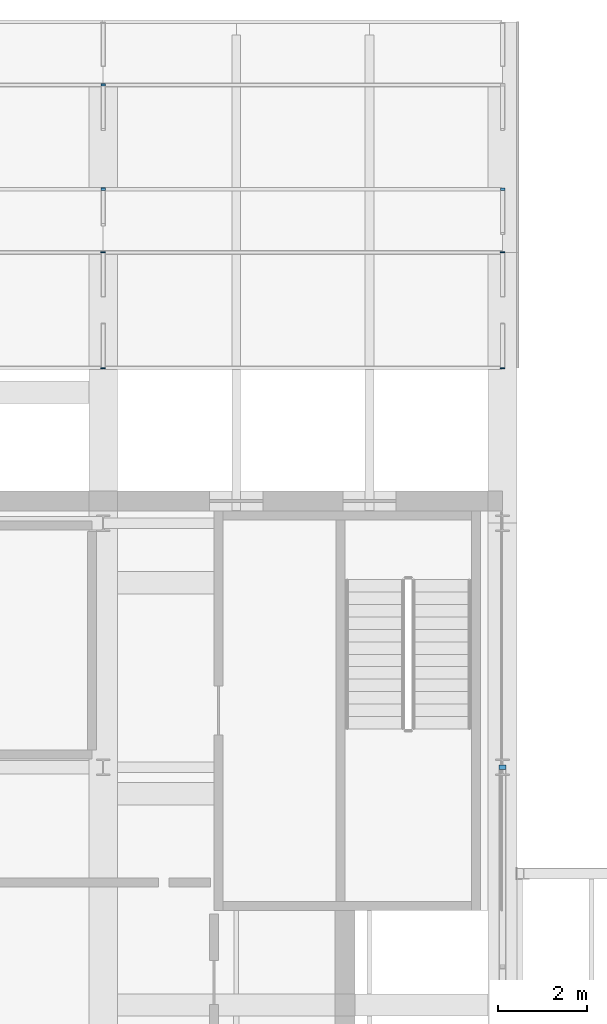
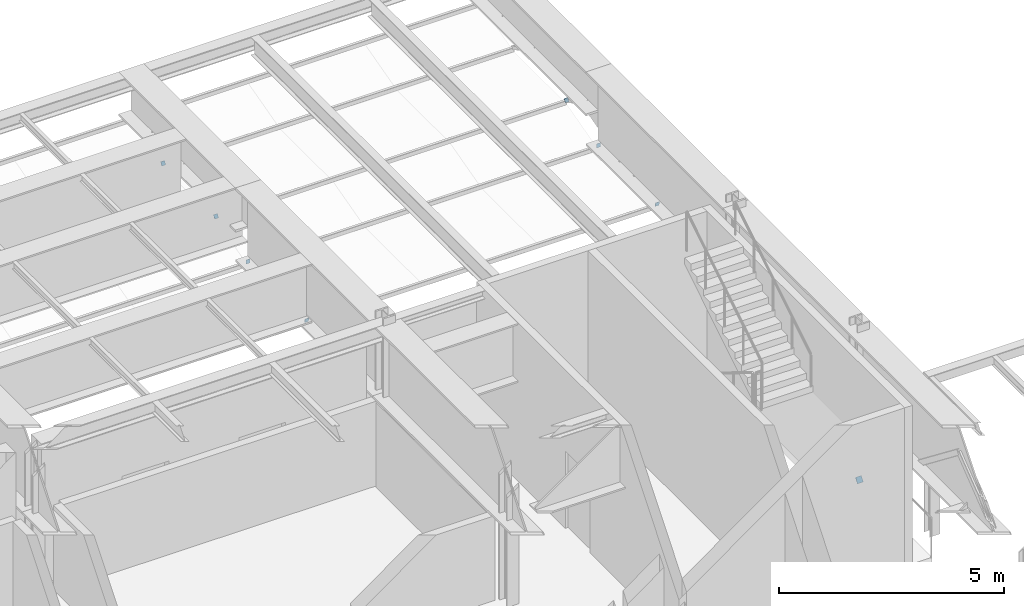
# One storey, part 126 of 153: 8 discrete accessories.
"""IFC4 building model written with IfcOpenShell, lengths in metres."""

from ifc_helpers import new_model, si_unit, direction, frame, origin, origin_2d, place, context, subcontext, project, spatial, rectangle, extrude, material, material_profile, profile_set, type_object, element, save


model = new_model("IFC4")

# Units and contexts
model_context = context("Model", 3, precision=1e-05, world=origin(), true_north=direction((0.0, 1.0)))
body_context = subcontext(model_context, "Body", "Model", "MODEL_VIEW")
ifc_project = project(units=[si_unit("LENGTHUNIT", "METRE"), si_unit("AREAUNIT", "SQUARE_METRE"), si_unit("VOLUMEUNIT", "CUBIC_METRE"), si_unit("PLANEANGLEUNIT", "RADIAN"), si_unit("MASSUNIT", "GRAM", prefix="KILO")], contexts=[model_context])

# Site, building, storey
site_placement = place(None, origin())
site = spatial("IfcSite", under=ifc_project, at=site_placement, CompositionType="ELEMENT")
building_placement = place(site_placement, origin())
building = spatial("IfcBuilding", under=site, at=building_placement, Name="Kallimachos Central Library", CompositionType="ELEMENT")
storey_placement = place(building_placement, frame((0.0, 0.0, 5.39990234375)))
storey = spatial("IfcBuildingStorey", under=building, at=storey_placement, Name="L01", CompositionType="ELEMENT", Elevation=5.39990234375)

# Discrete accessories
ifc_material_1 = material(Name="Steel S355J2", Category="steel")
ifc_material_profile_1 = material_profile(ifc_material_1, rectangle(XDim=0.10009765625, YDim=0.10009765625, at=origin_2d()), Name="End cap plate 10, 100x100")
ifc_profile_set_1 = profile_set([ifc_material_profile_1], Name="Steel S355J2")
discrete_accessory_type_1 = type_object("IfcDiscreteAccessoryType", Name="End cap plate 10, 100x100", PredefinedType="BRACKET", material=ifc_profile_set_1)
discrete_accessory_1_placement = place(storey_placement, frame((101.5, 120.3837890625, 2.562255859375), z_axis=(0.0, -0.874157276122, 0.485642931179), x_axis=(1.0, 0.0, 0.0)))
element("IfcDiscreteAccessory", 1, at=discrete_accessory_1_placement, inside=storey, type_object=discrete_accessory_type_1, Name="End cap plate", PredefinedType="BRACKET", context=body_context, shape_type="SweptSolid", body=[
    extrude(rectangle(XDim=0.10009765625, YDim=0.10009765625, at=origin_2d()), origin(), (0.0, 0.0, 1.0), 0.010009765625),
])
discrete_accessory_2_placement = place(storey_placement, frame((101.5, 118.033203125, 2.5478515625), z_axis=(0.0, -0.816967863265, 0.576683197599), x_axis=(1.0, 0.0, 0.0)))
element("IfcDiscreteAccessory", 2, at=discrete_accessory_2_placement, inside=storey, type_object=discrete_accessory_type_1, Name="End cap plate", PredefinedType="BRACKET", context=body_context, shape_type="SweptSolid", body=[
    extrude(rectangle(XDim=0.10009765625, YDim=0.10009765625, at=origin_2d()), origin(), (0.0, 0.0, 1.0), 0.01025390625),
])
discrete_accessory_3_placement = place(storey_placement, frame((110.5, 118.03369140625, 2.55126953125), z_axis=(0.0, -0.874157276122, 0.485642931179), x_axis=(1.0, 0.0, 0.0)))
element("IfcDiscreteAccessory", 3, at=discrete_accessory_3_placement, inside=storey, type_object=discrete_accessory_type_1, Name="End cap plate", PredefinedType="BRACKET", context=body_context, shape_type="SweptSolid", body=[
    extrude(rectangle(XDim=0.10009765625, YDim=0.10009765625, at=origin_2d()), origin(), (0.0, 0.0, 1.0), 0.010009765625),
])
for number, where, z_axis, x_axis, name in (
    (4, (101.5, 116.60986328125, 2.189453125), (0.0, -0.992277876714, 0.124034734589), (1.0, 0.0, 0.0), "End cap plate"),
    (5, (110.5, 116.60986328125, 2.189453125), (0.0, -0.992277876714, 0.124034734589), (1.0, 0.0, 0.0), "End cap plate"),
):
    element("IfcDiscreteAccessory", number, at=place(storey_placement, frame(where, z_axis=z_axis, x_axis=x_axis)), inside=storey, type_object=discrete_accessory_type_1, Name=name, PredefinedType="BRACKET", context=body_context, shape_type="SweptSolid", body=[
        extrude(rectangle(XDim=0.10009765625, YDim=0.10009765625, at=origin_2d()), origin(), (0.0, 0.0, 1.0), 0.009765625),
    ])
for number, where, z_axis, x_axis, name in (
    (6, (101.5, 113.989990234375, 2.178466796875), (0.0, 0.992645877551, 0.121054375311), (-1.0, 0.0, 0.0), "End cap plate"),
    (7, (110.5, 113.989990234375, 2.178466796875), (0.0, 0.992645877551, 0.121054375311), (-1.0, 0.0, 0.0), "End cap plate"),
):
    element("IfcDiscreteAccessory", number, at=place(storey_placement, frame(where, z_axis=z_axis, x_axis=x_axis)), inside=storey, type_object=discrete_accessory_type_1, Name=name, PredefinedType="BRACKET", context=body_context, shape_type="SweptSolid", body=[
        extrude(rectangle(XDim=0.10009765625, YDim=0.10009765625, at=origin_2d()), origin(), (0.0, 0.0, 1.0), 0.010009765625),
    ])
ifc_material_2 = material(Name="Steel S355J2", Category="steel")
ifc_material_profile_2 = material_profile(ifc_material_2, rectangle(XDim=0.14990234375, YDim=0.14990234375, at=origin_2d()), Name="End cap plate 10, 150x150")
ifc_profile_set_2 = profile_set([ifc_material_profile_2], Name="Steel S355J2")
discrete_accessory_type_2 = type_object("IfcDiscreteAccessoryType", Name="End cap plate 10, 150x150", PredefinedType="BRACKET", material=ifc_profile_set_2)
discrete_accessory_4_placement = place(storey_placement, frame((110.5, 105.0078125, 0.14404296875), z_axis=(0.0, -0.788024373725, 0.615644041972), x_axis=(1.0, 0.0, 0.0)))
element("IfcDiscreteAccessory", 8, at=discrete_accessory_4_placement, inside=storey, type_object=discrete_accessory_type_2, Name="End cap plate", PredefinedType="BRACKET", context=body_context, shape_type="SweptSolid", body=[
    extrude(rectangle(XDim=0.14990234375, YDim=0.14990234375, at=origin_2d()), origin(), (0.0, 0.0, 1.0), 0.010009765625),
])

save(model, "model.ifc")
